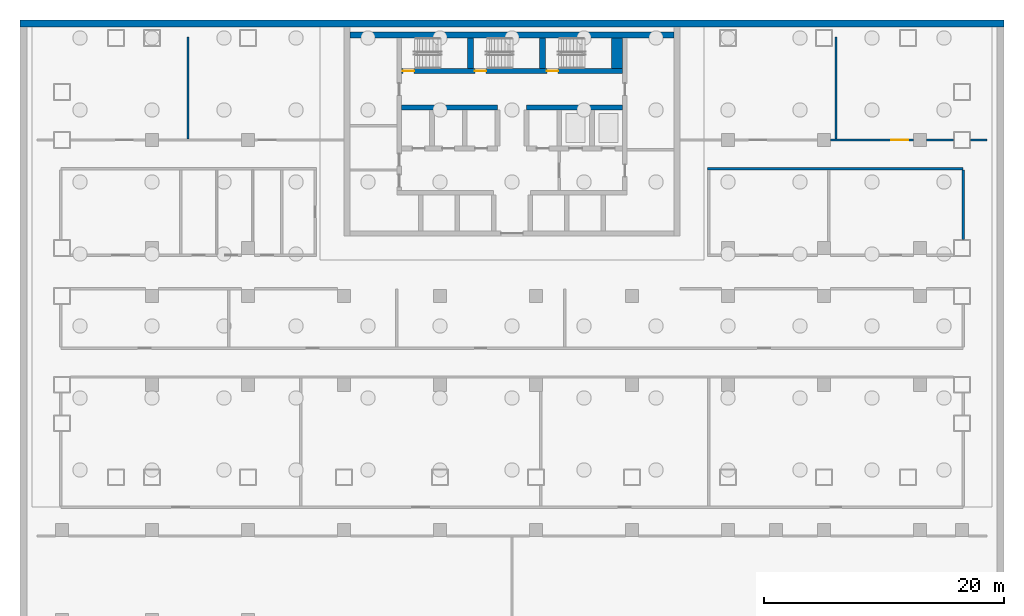
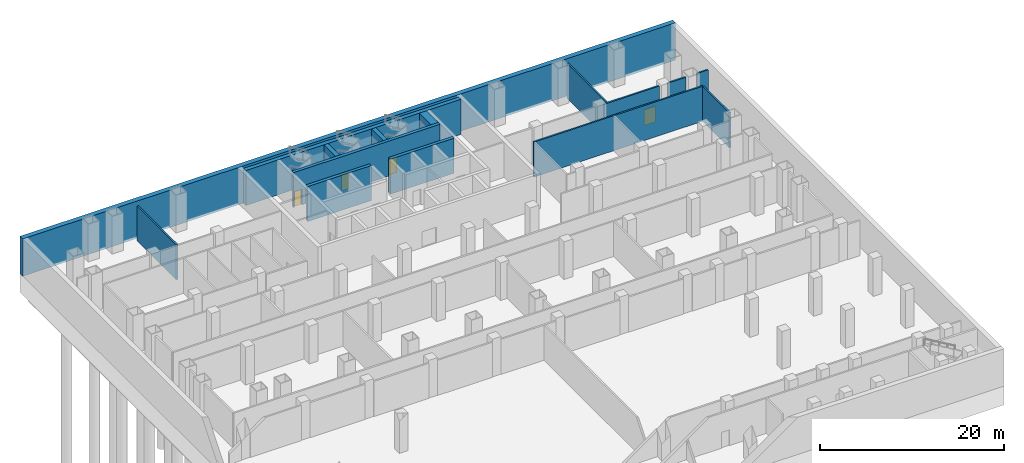
# One storey, part 9 of 14: 15 walls, 4 doors, 4 openings.
"""IFC4 building model written with IfcOpenShell, lengths in metres."""

from ifc_helpers import new_model, si_unit, direction, frame, frame_2d, origin, place, context, subcontext, project, spatial, rectangle, extrude, material, layer, layer_set, type_object, element, fill, save


model = new_model("IFC4")

# Units and contexts
model_context = context("Model", 3, precision=1e-05, world=origin(), true_north=direction((0.0, 1.0)))
body_context = subcontext(model_context, "Body", "Model", "MODEL_VIEW")
ifc_project = project(units=[si_unit("LENGTHUNIT", "METRE"), si_unit("AREAUNIT", "SQUARE_METRE"), si_unit("VOLUMEUNIT", "CUBIC_METRE"), si_unit("PLANEANGLEUNIT", "RADIAN"), si_unit("MASSUNIT", "GRAM", prefix="KILO")], contexts=[model_context])

# Site, building, storey
site_placement = place(None, origin())
site = spatial("IfcSite", under=ifc_project, at=site_placement, CompositionType="ELEMENT")
building_placement = place(site_placement, origin())
building = spatial("IfcBuilding", under=site, at=building_placement, Name="Vidyagriha Tower", CompositionType="ELEMENT")
storey_placement = place(building_placement, frame((0.0, 0.0, -10.0)))
storey = spatial("IfcBuildingStorey", under=building, at=storey_placement, Name="B2", CompositionType="ELEMENT", Elevation=-10.0)

# Walls
ifc_material_1 = material(Name="Concrete C50/60", Category="concrete")
ifc_layer_1 = layer(ifc_material_1, 0.60009765625)
ifc_layer_set_1 = layer_set([ifc_layer_1], Name="Concrete C50/60")
wall_type_1 = type_object("IfcWallType", Name="Basement retaining wall 600", PredefinedType="SOLIDWALL", material=ifc_layer_set_1)
wall_1_placement = place(storey_placement, frame((-41.0, 20.699951171875, -0.300048828125)))
element("IfcWall", 1, at=wall_1_placement, inside=storey, type_object=wall_type_1, Name="st-retwall-B2-n", PredefinedType="SOLIDWALL", context=body_context, shape_type="SweptSolid", body=[
    extrude(rectangle(XDim=82.0, YDim=0.60009765625, at=frame_2d((41.0, 0.0))), origin(), (0.0, 0.0, 1.0), 4.949951171875),
])
ifc_material_2 = material(Name="Concrete C60/75", Category="concrete")
ifc_layer_2 = layer(ifc_material_2, 0.39990234375)
ifc_layer_set_2 = layer_set([ifc_layer_2], Name="Concrete C60/75")
wall_type_2 = type_object("IfcWallType", Name="Core shear wall 400 mm", PredefinedType="SHEAR", material=ifc_layer_set_2)
for number, where, name in (
    (2, (-9.199951171875, 13.699951171875, 0.0), "Core row N rear wall"),
    (3, (1.199951171875, 13.699951171875, 0.0), "Core row N rear wall"),
):
    element("IfcWall", number, at=place(storey_placement, frame(where)), inside=storey, type_object=wall_type_2, Name=name, PredefinedType="SHEAR", context=body_context, shape_type="SweptSolid", body=[
        extrude(rectangle(XDim=8.0, YDim=0.39990234375, at=frame_2d((4.0, 0.0))), origin(), (0.0, 0.0, 1.0), 4.64990234375),
    ])

# Wall, openings, doors
wall_2_placement = place(storey_placement, frame((-9.199951171875, 16.75, 0.0)))
wall_2 = element("IfcWall", 4, at=wall_2_placement, inside=storey, type_object=wall_type_2, Name="Stair front wall", PredefinedType="SHEAR", context=body_context, shape_type="SweptSolid", body=[
    extrude(rectangle(XDim=18.39990234375, YDim=0.39990234375, at=frame_2d((9.199951171875, 0.0))), origin(), (0.0, 0.0, 1.0), 4.64990234375),
])
opening_1_placement = place(wall_2_placement, frame((0.10009765625, 0.0, 0.0)))
opening_1 = element("IfcOpeningElement", 5, at=opening_1_placement, cuts=wall_2, Name="Opening DB2-07", PredefinedType="OPENING", context=body_context, shape_type="SweptSolid", body=[
    extrude(rectangle(XDim=0.949951171875, YDim=2.10009765625, at=frame_2d((0.47509765625, 1.050048828125))), frame((0.0, 0.2099609375, 0.0), z_axis=(0.0, -1.0, 0.0), x_axis=(1.0, 0.0, 0.0)), (0.0, 0.0, 1.0), 0.419921875),
])
opening_2_placement = place(wall_2_placement, frame((6.10009765625, 0.0, 0.0)))
opening_2 = element("IfcOpeningElement", 6, at=opening_2_placement, cuts=wall_2, Name="Opening DB2-08", PredefinedType="OPENING", context=body_context, shape_type="SweptSolid", body=[
    extrude(rectangle(XDim=0.949951171875, YDim=2.10009765625, at=frame_2d((0.47509765625, 1.050048828125))), frame((0.0, 0.2099609375, 0.0), z_axis=(0.0, -1.0, 0.0), x_axis=(1.0, 0.0, 0.0)), (0.0, 0.0, 1.0), 0.419921875),
])
opening_3_placement = place(wall_2_placement, frame((12.10009765625, 0.0, 0.0)))
opening_3 = element("IfcOpeningElement", 7, at=opening_3_placement, cuts=wall_2, Name="Opening DB2-09", PredefinedType="OPENING", context=body_context, shape_type="SweptSolid", body=[
    extrude(rectangle(XDim=0.949951171875, YDim=2.10009765625, at=frame_2d((0.47509765625, 1.050048828125))), frame((0.0, 0.2099609375, 0.0), z_axis=(0.0, -1.0, 0.0), x_axis=(1.0, 0.0, 0.0)), (0.0, 0.0, 1.0), 0.419921875),
])
ifc_material_3 = material(Name="Hollow metal door leaf")
door_type_1 = type_object("IfcDoorType", Name="Exit stair door 950 x 2100 mm EI 90", OperationType="NOTDEFINED", PredefinedType="DOOR", material=ifc_material_3)
door_1_placement = place(opening_1_placement, origin())
door_1 = element("IfcDoor", 8, at=door_1_placement, inside=storey, type_object=door_type_1, Name="Stair door ST1 B2", OperationType="SINGLE_SWING_LEFT", OverallHeight=2.10009765625, OverallWidth=0.949951171875, PredefinedType="DOOR", context=body_context, shape_type="SweptSolid", body=[
    extrude(rectangle(XDim=0.949951171875, YDim=2.10009765625, at=frame_2d((0.47509765625, 1.050048828125))), frame((0.0, 0.02490234375, 0.0), z_axis=(0.0, -1.0, 0.0), x_axis=(1.0, 0.0, 0.0)), (0.0, 0.0, 1.0), 0.050048828125),
])
fill(opening_1, door_1)
door_2_placement = place(opening_2_placement, origin())
door_2 = element("IfcDoor", 9, at=door_2_placement, inside=storey, type_object=door_type_1, Name="Stair door ST2 B2", OperationType="SINGLE_SWING_LEFT", OverallHeight=2.10009765625, OverallWidth=0.949951171875, PredefinedType="DOOR", context=body_context, shape_type="SweptSolid", body=[
    extrude(rectangle(XDim=0.949951171875, YDim=2.10009765625, at=frame_2d((0.47509765625, 1.050048828125))), frame((0.0, 0.02490234375, 0.0), z_axis=(0.0, -1.0, 0.0), x_axis=(1.0, 0.0, 0.0)), (0.0, 0.0, 1.0), 0.050048828125),
])
fill(opening_2, door_2)
door_3_placement = place(opening_3_placement, origin())
door_3 = element("IfcDoor", 10, at=door_3_placement, inside=storey, type_object=door_type_1, Name="Stair door ST3 B2", OperationType="SINGLE_SWING_LEFT", OverallHeight=2.10009765625, OverallWidth=0.949951171875, PredefinedType="DOOR", context=body_context, shape_type="SweptSolid", body=[
    extrude(rectangle(XDim=0.949951171875, YDim=2.10009765625, at=frame_2d((0.47509765625, 1.050048828125))), frame((0.0, 0.02490234375, 0.0), z_axis=(0.0, -1.0, 0.0), x_axis=(1.0, 0.0, 0.0)), (0.0, 0.0, 1.0), 0.050048828125),
])
fill(opening_3, door_3)

# Walls
ifc_material_4 = material(Name="Concrete C60/75", Category="concrete")
ifc_layer_3 = layer(ifc_material_4, 0.5)
ifc_layer_set_3 = layer_set([ifc_layer_3], Name="Concrete C60/75")
wall_type_3 = type_object("IfcWallType", Name="Core shear wall 500 mm", PredefinedType="SHEAR", material=ifc_layer_set_3)
wall_3_placement = place(storey_placement, frame((-13.5, 19.75, 0.0)))
element("IfcWall", 11, at=wall_3_placement, inside=storey, type_object=wall_type_3, Name="Core north wall", PredefinedType="SHEAR", context=body_context, shape_type="SweptSolid", body=[
    extrude(rectangle(XDim=27.0, YDim=0.5, at=frame_2d((13.5, 0.0))), origin(), (0.0, 0.0, 1.0), 4.64990234375),
])
for number, where, z_axis, x_axis, name in (
    (12, (-3.449951171875, 16.949951171875, 0.0), (0.0, 0.0, 1.0), (0.0, 1.0, 0.0), "Stair partition wall 1"),
    (13, (2.550048828125, 16.949951171875, 0.0), (0.0, 0.0, 1.0), (0.0, 1.0, 0.0), "Stair partition wall 2"),
):
    element("IfcWall", number, at=place(storey_placement, frame(where, z_axis=z_axis, x_axis=x_axis)), inside=storey, type_object=wall_type_3, Name=name, PredefinedType="SHEAR", context=body_context, shape_type="SweptSolid", body=[
        extrude(rectangle(XDim=2.550048828125, YDim=0.5, at=frame_2d((1.27490234375, 0.0))), origin(), (0.0, 0.0, 1.0), 4.64990234375),
    ])
ifc_material_5 = material(Name="Concrete C60/75", Category="concrete")
ifc_layer_4 = layer(ifc_material_5, 0.89990234375)
ifc_layer_set_4 = layer_set([ifc_layer_4], Name="Concrete C60/75")
wall_type_4 = type_object("IfcWallType", Name="Core shear wall 900 mm", PredefinedType="SHEAR", material=ifc_layer_set_4)
wall_4_placement = place(storey_placement, frame((8.75, 16.949951171875, 0.0), z_axis=(0.0, 0.0, 1.0), x_axis=(0.0, 1.0, 0.0)))
element("IfcWall", 14, at=wall_4_placement, inside=storey, type_object=wall_type_4, Name="Stair end wall", PredefinedType="SHEAR", context=body_context, shape_type="SweptSolid", body=[
    extrude(rectangle(XDim=2.550048828125, YDim=0.89990234375, at=frame_2d((1.27490234375, 0.0))), origin(), (0.0, 0.0, 1.0), 4.64990234375),
])
ifc_material_6 = material(Name="Fire rated gypsum board on light gauge framing")
ifc_layer_5 = layer(ifc_material_6, 0.199951171875)
ifc_layer_set_5 = layer_set([ifc_layer_5], Name="Fire rated gypsum board on light gauge framing")
wall_type_5 = type_object("IfcWallType", Name="Fire Rated Corridor Wall 200", PredefinedType="PARTITIONING", material=ifc_layer_set_5)
wall_5_placement = place(storey_placement, frame((16.300048828125, 8.60009765625, 0.0)))
element("IfcWall", 15, at=wall_5_placement, inside=storey, type_object=wall_type_5, Name="B2 Fire Rated Corridor Wall 200 047", PredefinedType="PARTITIONING", context=body_context, shape_type="SweptSolid", body=[
    extrude(rectangle(XDim=21.2998046875, YDim=0.199951171875, at=frame_2d((10.64990234375, 0.0))), origin(), (0.0, 0.0, 1.0), 4.64990234375),
])

# Wall, opening, door
wall_6_placement = place(storey_placement, frame((26.550048828125, 11.0, 0.0)))
wall_6 = element("IfcWall", 16, at=wall_6_placement, inside=storey, type_object=wall_type_5, Name="B2 Fire Rated Corridor Wall 200 054", PredefinedType="PARTITIONING", context=body_context, shape_type="SweptSolid", body=[
    extrude(rectangle(XDim=6.89990234375, YDim=0.199951171875, at=frame_2d((3.449951171875, 0.0))), origin(), (0.0, 0.0, 1.0), 4.64990234375),
])
opening_4_placement = place(wall_6_placement, frame((5.050048828125, 0.0, 0.0)))
opening_4 = element("IfcOpeningElement", 17, at=opening_4_placement, cuts=wall_6, Name="Opening DB2-37", PredefinedType="OPENING", context=body_context, shape_type="SweptSolid", body=[
    extrude(rectangle(XDim=1.39990234375, YDim=2.10009765625, at=frame_2d((0.699951171875, 1.050048828125))), frame((0.0, 0.10986328125, 0.0), z_axis=(0.0, -1.0, 0.0), x_axis=(1.0, 0.0, 0.0)), (0.0, 0.0, 1.0), 0.219970703125),
])
ifc_material_7 = material(Name="Steel fire door set", Category="steel")
door_type_2 = type_object("IfcDoorType", Name="Podium Door 1400x2100 EI 60 Pair", OperationType="NOTDEFINED", PredefinedType="DOOR", material=ifc_material_7)
door_4_placement = place(opening_4_placement, frame((1.39990234375, 0.0, 0.0), z_axis=(0.0, 0.0, 1.0), x_axis=(-1.0, 0.0, 0.0)))
door_4 = element("IfcDoor", 18, at=door_4_placement, inside=storey, type_object=door_type_2, Name="B2 door DB2-37", OperationType="DOUBLE_DOOR_SINGLE_SWING", OverallHeight=2.10009765625, OverallWidth=1.39990234375, PredefinedType="DOOR", context=body_context, shape_type="SweptSolid", body=[
    extrude(rectangle(XDim=1.39990234375, YDim=2.10009765625, at=frame_2d((0.699951171875, 1.050048828125))), frame((0.0, 0.02490234375, 0.0), z_axis=(0.0, -1.0, 0.0), x_axis=(1.0, 0.0, 0.0)), (0.0, 0.0, 1.0), 0.050048828125),
])
fill(opening_4, door_4)

# Walls
wall_7_placement = place(storey_placement, frame((34.550048828125, 11.0, 0.0)))
element("IfcWall", 19, at=wall_7_placement, inside=storey, type_object=wall_type_5, Name="B2 Fire Rated Corridor Wall 200 055", PredefinedType="PARTITIONING", context=body_context, shape_type="SweptSolid", body=[
    extrude(rectangle(XDim=2.25, YDim=0.199951171875, at=frame_2d((1.125, 0.0))), origin(), (0.0, 0.0, 1.0), 4.64990234375),
])
wall_8_placement = place(storey_placement, frame((38.199951171875, 11.0, 0.0)))
element("IfcWall", 20, at=wall_8_placement, inside=storey, type_object=wall_type_5, Name="B2 Fire Rated Corridor Wall 200 056", PredefinedType="PARTITIONING", context=body_context, shape_type="SweptSolid", body=[
    extrude(rectangle(XDim=1.400146484375, YDim=0.199951171875, at=frame_2d((0.7001953125, 0.0))), origin(), (0.0, 0.0, 1.0), 4.64990234375),
])
for number, where, z_axis, x_axis, name in (
    (21, (-27.0, 11.10009765625, 0.0), (0.0, 0.0, 1.0), (0.0, 1.0, 0.0), "B2 Fire Rated Corridor Wall 200 063"),
    (22, (27.0, 11.10009765625, 0.0), (0.0, 0.0, 1.0), (0.0, 1.0, 0.0), "B2 Fire Rated Corridor Wall 200 082"),
):
    element("IfcWall", number, at=place(storey_placement, frame(where, z_axis=z_axis, x_axis=x_axis)), inside=storey, type_object=wall_type_5, Name=name, PredefinedType="PARTITIONING", context=body_context, shape_type="SweptSolid", body=[
        extrude(rectangle(XDim=8.499755859375, YDim=0.199951171875, at=frame_2d((4.25, 0.0))), origin(), (0.0, 0.0, 1.0), 4.64990234375),
    ])
wall_9_placement = place(storey_placement, frame((37.60009765625, 2.699951171875, 0.0), z_axis=(0.0, 0.0, 1.0), x_axis=(0.0, 1.0, 0.0)))
element("IfcWall", 23, at=wall_9_placement, inside=storey, type_object=wall_type_5, Name="B2 Fire Rated Corridor Wall 200 087", PredefinedType="PARTITIONING", context=body_context, shape_type="SweptSolid", body=[
    extrude(rectangle(XDim=5.800048828125, YDim=0.199951171875, at=frame_2d((2.89990234375, 0.0))), origin(), (0.0, 0.0, 1.0), 4.64990234375),
])

save(model, "model.ifc")
